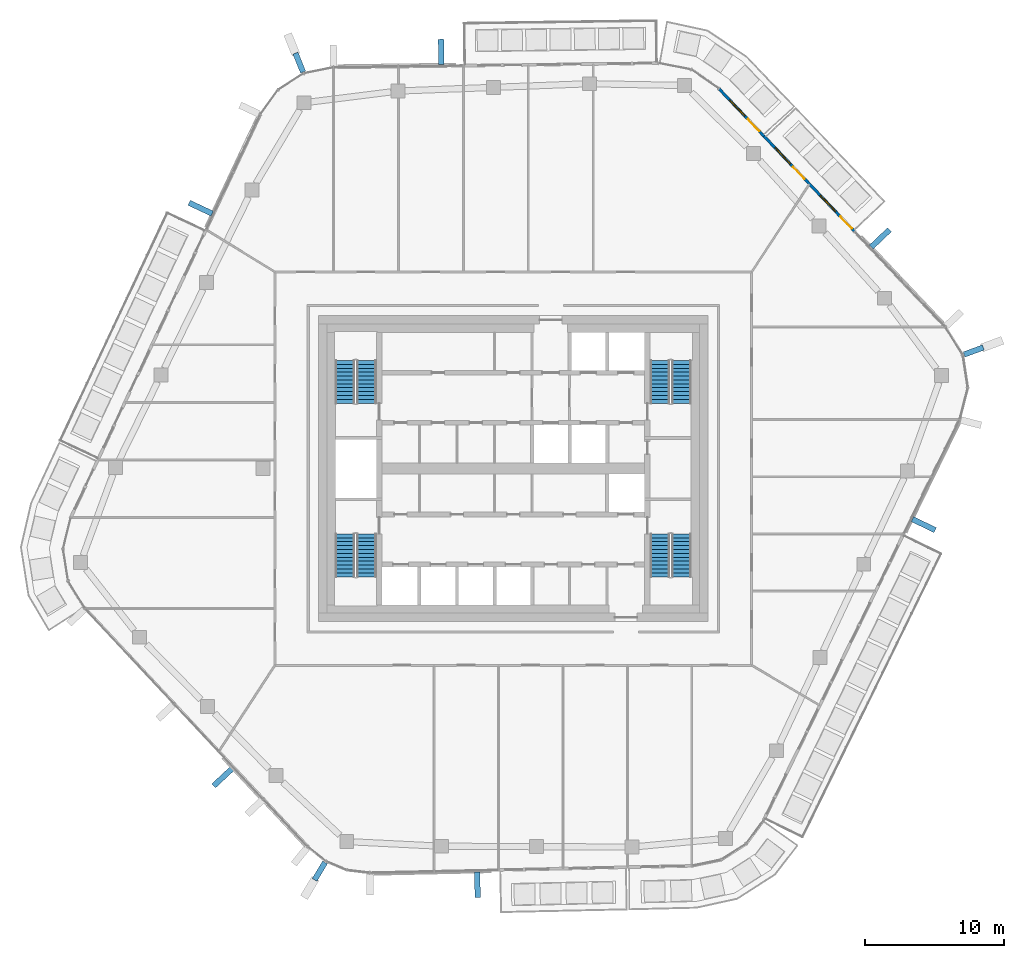
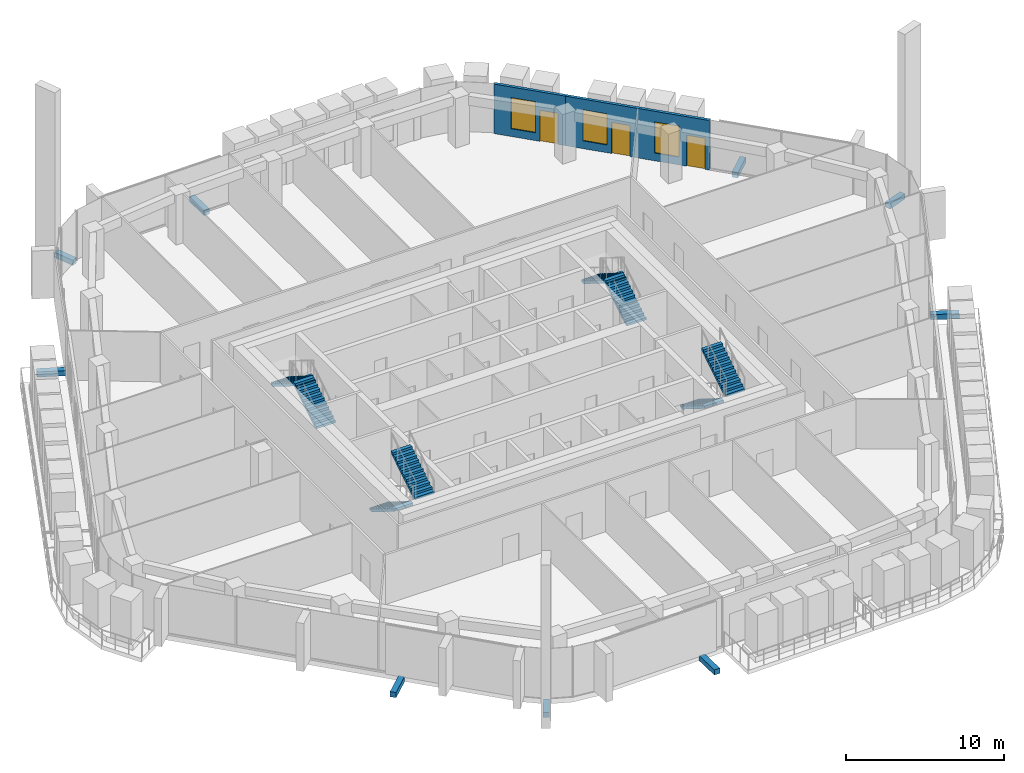
# One storey, part 17 of 24: 9 discrete accessories, 8 stair flights, 3 doors, 3 windows, 2 walls, 6 openings, 4 elements without a shape of their own.
"""IFC4 building model written with IfcOpenShell, lengths in metres."""

from ifc_helpers import new_model, si_unit, direction, frame, frame_2d, origin, origin_2d, place, context, subcontext, project, spatial, polyline, rectangle, outline, extrude, material, layer, layer_set, type_object, element, fill, aggregate, save


model = new_model("IFC4")

# Units and contexts
model_context = context("Model", 3, precision=1e-05, world=origin(), true_north=direction((0.0, 1.0)))
body_context = subcontext(model_context, "Body", "Model", "MODEL_VIEW")
ifc_project = project(units=[si_unit("LENGTHUNIT", "METRE"), si_unit("AREAUNIT", "SQUARE_METRE"), si_unit("VOLUMEUNIT", "CUBIC_METRE"), si_unit("PLANEANGLEUNIT", "RADIAN"), si_unit("MASSUNIT", "GRAM", prefix="KILO")], contexts=[model_context])

# Site, building, storey
site_placement = place(None, origin())
site = spatial("IfcSite", under=ifc_project, at=site_placement, CompositionType="ELEMENT")
building_placement = place(site_placement, origin())
building = spatial("IfcBuilding", under=site, at=building_placement, Name="Dongbaek Canopy Tower", CompositionType="ELEMENT")
storey_placement = place(building_placement, frame((0.0, 0.0, 332.0)))
storey = spatial("IfcBuildingStorey", under=building, at=storey_placement, Name="L71", CompositionType="ELEMENT", Elevation=332.0)

# Wall, openings, doors, windows
ifc_material_1 = material(Name="Aluminium window wall", Category="aluminium")
ifc_layer_1 = layer(ifc_material_1, 0.199951171875)
ifc_layer_set_1 = layer_set([ifc_layer_1], Name="Window wall 200")
wall_type = type_object("IfcWallType", Name="Window wall 200", PredefinedType="SOLIDWALL", material=ifc_layer_set_1)
wall_1_placement = place(storey_placement, frame((24.5634765625, 17.048583984375, 0.0), z_axis=(0.0, 0.0, 1.0), x_axis=(-0.688807081371, 0.724944690755, 0.0)))
wall_1 = element("IfcWall", 1, at=wall_1_placement, inside=storey, type_object=wall_type, Name="Window wall L71 1", PredefinedType="SOLIDWALL", context=body_context, shape_type="SweptSolid", body=[
    extrude(rectangle(XDim=9.46484375, YDim=0.199951171875, at=frame_2d((4.732421875, 0.0))), origin(), (0.0, 0.0, 1.0), 3.820068359375),
])
opening_1_placement = place(wall_1_placement, frame((2.0, 0.0, 0.60009765625)))
opening_1 = element("IfcOpeningElement", 2, at=opening_1_placement, cuts=wall_1, Name="Opening W1", PredefinedType="OPENING", context=body_context, shape_type="SweptSolid", body=[
    extrude(rectangle(XDim=1.60009765625, YDim=2.39990234375, at=frame_2d((0.800048828125, 1.199951171875))), frame((0.0, 0.10986328125, 0.0), z_axis=(0.0, -1.0, 0.0), x_axis=(1.0, 0.0, 0.0)), (0.0, 0.0, 1.0), 0.219970703125),
])
opening_2_placement = place(wall_1_placement, frame((0.300048828125, 0.0, 0.0)))
opening_2 = element("IfcOpeningElement", 3, at=opening_2_placement, cuts=wall_1, Name="Opening L71-B01", PredefinedType="OPENING", context=body_context, shape_type="SweptSolid", body=[
    extrude(rectangle(XDim=1.199951171875, YDim=2.39990234375, at=frame_2d((0.60009765625, 1.199951171875))), frame((0.0, 0.10986328125, 0.0), z_axis=(0.0, -1.0, 0.0), x_axis=(1.0, 0.0, 0.0)), (0.0, 0.0, 1.0), 0.219970703125),
])
opening_3_placement = place(wall_1_placement, frame((6.732666015625, 0.0, 0.60009765625)))
opening_3 = element("IfcOpeningElement", 4, at=opening_3_placement, cuts=wall_1, Name="Opening W1", PredefinedType="OPENING", context=body_context, shape_type="SweptSolid", body=[
    extrude(rectangle(XDim=1.60009765625, YDim=2.39990234375, at=frame_2d((0.800048828125, 1.199951171875))), frame((0.0, 0.10986328125, 0.0), z_axis=(0.0, -1.0, 0.0), x_axis=(1.0, 0.0, 0.0)), (0.0, 0.0, 1.0), 0.219970703125),
])
opening_4_placement = place(wall_1_placement, frame((5.232666015625, 0.0, 0.0)))
opening_4 = element("IfcOpeningElement", 5, at=opening_4_placement, cuts=wall_1, Name="Opening L71-B02", PredefinedType="OPENING", context=body_context, shape_type="SweptSolid", body=[
    extrude(rectangle(XDim=1.199951171875, YDim=2.39990234375, at=frame_2d((0.60009765625, 1.199951171875))), frame((0.0, 0.10986328125, 0.0), z_axis=(0.0, -1.0, 0.0), x_axis=(1.0, 0.0, 0.0)), (0.0, 0.0, 1.0), 0.219970703125),
])
ifc_material_2 = material(Name="Clear glazing in aluminium frame", Category="aluminium")
door_type = type_object("IfcDoorType", Name="Balcony door BD1 1200 x 2400", OperationType="SLIDING_TO_LEFT", PredefinedType="DOOR", material=ifc_material_2)
door_1_placement = place(opening_2_placement, origin())
door_1 = element("IfcDoor", 6, at=door_1_placement, inside=storey, type_object=door_type, Name="Balcony door L71-B01", OperationType="SLIDING_TO_LEFT", OverallHeight=2.39990234375, OverallWidth=1.199951171875, PredefinedType="DOOR", context=body_context, shape_type="SweptSolid", body=[
    extrude(rectangle(XDim=1.199951171875, YDim=2.39990234375, at=frame_2d((0.60009765625, 1.199951171875))), frame((0.0, 0.02490234375, 0.0), z_axis=(0.0, -1.0, 0.0), x_axis=(1.0, 0.0, 0.0)), (0.0, 0.0, 1.0), 0.050048828125),
])
fill(opening_2, door_1)
door_2_placement = place(opening_4_placement, origin())
door_2 = element("IfcDoor", 7, at=door_2_placement, inside=storey, type_object=door_type, Name="Balcony door L71-B02", OperationType="SLIDING_TO_LEFT", OverallHeight=2.39990234375, OverallWidth=1.199951171875, PredefinedType="DOOR", context=body_context, shape_type="SweptSolid", body=[
    extrude(rectangle(XDim=1.199951171875, YDim=2.39990234375, at=frame_2d((0.60009765625, 1.199951171875))), frame((0.0, 0.02490234375, 0.0), z_axis=(0.0, -1.0, 0.0), x_axis=(1.0, 0.0, 0.0)), (0.0, 0.0, 1.0), 0.050048828125),
])
fill(opening_4, door_2)
ifc_material_3 = material(Name="Clear glazing in aluminium frame", Category="aluminium")
window_type = type_object("IfcWindowType", Name="Window W1 1600 x 2400", PartitioningType="SINGLE_PANEL", PredefinedType="WINDOW", material=ifc_material_3)
window_1_placement = place(opening_1_placement, origin())
window_1 = element("IfcWindow", 8, at=window_1_placement, inside=storey, type_object=window_type, Name="Window L71 1.1", OverallHeight=2.39990234375, OverallWidth=1.60009765625, PartitioningType="SINGLE_PANEL", PredefinedType="WINDOW", context=body_context, shape_type="SweptSolid", body=[
    extrude(rectangle(XDim=1.60009765625, YDim=2.39990234375, at=frame_2d((0.800048828125, 1.199951171875))), frame((0.0, 0.030029296875, 0.0), z_axis=(0.0, -1.0, 0.0), x_axis=(1.0, 0.0, 0.0)), (0.0, 0.0, 1.0), 0.06005859375),
])
fill(opening_1, window_1)
window_2_placement = place(opening_3_placement, origin())
window_2 = element("IfcWindow", 9, at=window_2_placement, inside=storey, type_object=window_type, Name="Window L71 1.2", OverallHeight=2.39990234375, OverallWidth=1.60009765625, PartitioningType="SINGLE_PANEL", PredefinedType="WINDOW", context=body_context, shape_type="SweptSolid", body=[
    extrude(rectangle(XDim=1.60009765625, YDim=2.39990234375, at=frame_2d((0.800048828125, 1.199951171875))), frame((0.0, 0.030029296875, 0.0), z_axis=(0.0, -1.0, 0.0), x_axis=(1.0, 0.0, 0.0)), (0.0, 0.0, 1.0), 0.06005859375),
])
fill(opening_3, window_2)

# Wall, openings, door, window
wall_2_placement = place(storey_placement, frame((18.0439453125, 23.91015625, 0.0), z_axis=(0.0, 0.0, 1.0), x_axis=(-0.688806527413, 0.724945217098, 0.0)))
wall_2 = element("IfcWall", 10, at=wall_2_placement, inside=storey, type_object=wall_type, Name="Window wall L71 6", PredefinedType="SOLIDWALL", context=body_context, shape_type="SweptSolid", body=[
    extrude(rectangle(XDim=4.72216796875, YDim=0.199951171875, at=frame_2d((2.361083984375, 0.0))), origin(), (0.0, 0.0, 1.0), 3.820068359375),
])
opening_5_placement = place(wall_2_placement, frame((2.0, 0.0, 0.60009765625)))
opening_5 = element("IfcOpeningElement", 11, at=opening_5_placement, cuts=wall_2, Name="Opening W1", PredefinedType="OPENING", context=body_context, shape_type="SweptSolid", body=[
    extrude(rectangle(XDim=1.60009765625, YDim=2.39990234375, at=frame_2d((0.800048828125, 1.199951171875))), frame((0.0, 0.10986328125, 0.0), z_axis=(0.0, -1.0, 0.0), x_axis=(1.0, 0.0, 0.0)), (0.0, 0.0, 1.0), 0.219970703125),
])
opening_6_placement = place(wall_2_placement, frame((0.5, 0.0, 0.0)))
opening_6 = element("IfcOpeningElement", 12, at=opening_6_placement, cuts=wall_2, Name="Opening L71-B03", PredefinedType="OPENING", context=body_context, shape_type="SweptSolid", body=[
    extrude(rectangle(XDim=1.199951171875, YDim=2.39990234375, at=frame_2d((0.60009765625, 1.199951171875))), frame((0.0, 0.10986328125, 0.0), z_axis=(0.0, -1.0, 0.0), x_axis=(1.0, 0.0, 0.0)), (0.0, 0.0, 1.0), 0.219970703125),
])
door_3_placement = place(opening_6_placement, origin())
door_3 = element("IfcDoor", 13, at=door_3_placement, inside=storey, type_object=door_type, Name="Balcony door L71-B03", OperationType="SLIDING_TO_LEFT", OverallHeight=2.39990234375, OverallWidth=1.199951171875, PredefinedType="DOOR", context=body_context, shape_type="SweptSolid", body=[
    extrude(rectangle(XDim=1.199951171875, YDim=2.39990234375, at=frame_2d((0.60009765625, 1.199951171875))), frame((0.0, 0.02490234375, 0.0), z_axis=(0.0, -1.0, 0.0), x_axis=(1.0, 0.0, 0.0)), (0.0, 0.0, 1.0), 0.050048828125),
])
fill(opening_6, door_3)
window_3_placement = place(opening_5_placement, origin())
window_3 = element("IfcWindow", 14, at=window_3_placement, inside=storey, type_object=window_type, Name="Window L71 6.1", OverallHeight=2.39990234375, OverallWidth=1.60009765625, PartitioningType="SINGLE_PANEL", PredefinedType="WINDOW", context=body_context, shape_type="SweptSolid", body=[
    extrude(rectangle(XDim=1.60009765625, YDim=2.39990234375, at=frame_2d((0.800048828125, 1.199951171875))), frame((0.0, 0.030029296875, 0.0), z_axis=(0.0, -1.0, 0.0), x_axis=(1.0, 0.0, 0.0)), (0.0, 0.0, 1.0), 0.06005859375),
])
fill(opening_5, window_3)

# Stair, stair flights
ifc_material_4 = material(Name="Concrete C40/50", Category="concrete")
stair_type = type_object("IfcStairType", Name="Core exit stair", PredefinedType="HALF_TURN_STAIR", material=ifc_material_4)
stair_1_placement = place(storey_placement, origin())
stair_1 = element("IfcStair", 15, at=stair_1_placement, inside=storey, type_object=stair_type, Name="L71 exit stair A", PredefinedType="HALF_TURN_STAIR")
ifc_material_5 = material(Name="Concrete C40/50", Category="concrete")
ifc_layer_2 = layer(ifc_material_5, 0.14990234375)
ifc_layer_set_2 = layer_set([ifc_layer_2], Name="Core stair flight 150 waist")
stair_flight_type = type_object("IfcStairFlightType", Name="Core stair flight 150 waist", PredefinedType="STRAIGHT", material=ifc_layer_set_2)
stair_flight_1_placement = place(storey_placement, frame((12.10009765625, 4.699951171875, 0.0), z_axis=(0.0, 0.0, 1.0), x_axis=(0.0, 1.0, 0.0)))
stair_flight_1 = element("IfcStairFlight", 16, at=stair_flight_1_placement, type_object=stair_flight_type, Name="ST-A flight 1", NumberOfRisers=12, NumberOfTreads=11, PredefinedType="STRAIGHT", RiserHeight=0.175, TreadLength=0.28, context=body_context, shape_type="SweptSolid", body=[
    extrude(outline(polyline([(0.0, 0.0), (0.0, 0.175048828125), (0.280029296875, 0.175048828125), (0.280029296875, 0.35009765625), (0.56005859375, 0.35009765625), (0.56005859375, 0.52490234375), (0.840087890625, 0.52490234375), (0.840087890625, 0.699951171875), (1.1201171875, 0.699951171875), (1.1201171875, 0.875), (1.39990234375, 0.875), (1.39990234375, 1.050048828125), (1.679931640625, 1.050048828125), (1.679931640625, 1.22509765625), (1.9599609375, 1.22509765625), (1.9599609375, 1.39990234375), (2.239990234375, 1.39990234375), (2.239990234375, 1.574951171875), (2.52001953125, 1.574951171875), (2.52001953125, 1.75), (2.800048828125, 1.75), (2.800048828125, 1.925048828125), (3.080078125, 1.925048828125), (3.080078125, 2.10009765625), (3.080078125, 1.748291015625), (0.28271484375, 0.0), (0.0, 0.0)])), frame((0.0, 0.699951171875, 0.0), z_axis=(0.0, -1.0, 0.0), x_axis=(1.0, 0.0, 0.0)), (0.0, 0.0, 1.0), 1.39990234375),
])
stair_flight_2_placement = place(storey_placement, frame((10.550048828125, 7.780029296875, 2.10009765625), z_axis=(0.0, 0.0, 1.0), x_axis=(0.0, -1.0, 0.0)))
stair_flight_2 = element("IfcStairFlight", 17, at=stair_flight_2_placement, type_object=stair_flight_type, Name="ST-A flight 2", NumberOfRisers=12, NumberOfTreads=11, PredefinedType="STRAIGHT", RiserHeight=0.175, TreadLength=0.28, context=body_context, shape_type="SweptSolid", body=[
    extrude(outline(polyline([(0.0, 0.0), (0.0, 0.175048828125), (0.280029296875, 0.175048828125), (0.280029296875, 0.35009765625), (0.56005859375, 0.35009765625), (0.56005859375, 0.52490234375), (0.840087890625, 0.52490234375), (0.840087890625, 0.699951171875), (1.1201171875, 0.699951171875), (1.1201171875, 0.875), (1.39990234375, 0.875), (1.39990234375, 1.050048828125), (1.679931640625, 1.050048828125), (1.679931640625, 1.22509765625), (1.9599609375, 1.22509765625), (1.9599609375, 1.39990234375), (2.239990234375, 1.39990234375), (2.239990234375, 1.574951171875), (2.52001953125, 1.574951171875), (2.52001953125, 1.75), (2.800048828125, 1.75), (2.800048828125, 1.925048828125), (3.080078125, 1.925048828125), (3.080078125, 2.10009765625), (3.080078125, 1.748291015625), (0.28271484375, 0.0), (0.0, 0.0)])), frame((0.0, 0.699951171875, 0.0), z_axis=(0.0, -1.0, 0.0), x_axis=(1.0, 0.0, 0.0)), (0.0, 0.0, 1.0), 1.39990234375),
])
aggregate(stair_1, [stair_flight_1, stair_flight_2])

stair_2_placement = place(storey_placement, origin())
stair_2 = element("IfcStair", 18, at=stair_2_placement, inside=storey, type_object=stair_type, Name="L71 exit stair C", PredefinedType="HALF_TURN_STAIR")
stair_flight_3_placement = place(storey_placement, frame((-10.550048828125, 4.699951171875, 0.0), z_axis=(0.0, 0.0, 1.0), x_axis=(0.0, 1.0, 0.0)))
stair_flight_3 = element("IfcStairFlight", 19, at=stair_flight_3_placement, type_object=stair_flight_type, Name="ST-C flight 1", NumberOfRisers=12, NumberOfTreads=11, PredefinedType="STRAIGHT", RiserHeight=0.175, TreadLength=0.28, context=body_context, shape_type="SweptSolid", body=[
    extrude(outline(polyline([(0.0, 0.0), (0.0, 0.175048828125), (0.280029296875, 0.175048828125), (0.280029296875, 0.35009765625), (0.56005859375, 0.35009765625), (0.56005859375, 0.52490234375), (0.840087890625, 0.52490234375), (0.840087890625, 0.699951171875), (1.1201171875, 0.699951171875), (1.1201171875, 0.875), (1.39990234375, 0.875), (1.39990234375, 1.050048828125), (1.679931640625, 1.050048828125), (1.679931640625, 1.22509765625), (1.9599609375, 1.22509765625), (1.9599609375, 1.39990234375), (2.239990234375, 1.39990234375), (2.239990234375, 1.574951171875), (2.52001953125, 1.574951171875), (2.52001953125, 1.75), (2.800048828125, 1.75), (2.800048828125, 1.925048828125), (3.080078125, 1.925048828125), (3.080078125, 2.10009765625), (3.080078125, 1.748291015625), (0.28271484375, 0.0), (0.0, 0.0)])), frame((0.0, 0.699951171875, 0.0), z_axis=(0.0, -1.0, 0.0), x_axis=(1.0, 0.0, 0.0)), (0.0, 0.0, 1.0), 1.39990234375),
])
stair_flight_4_placement = place(storey_placement, frame((-12.10009765625, 7.780029296875, 2.10009765625), z_axis=(0.0, 0.0, 1.0), x_axis=(0.0, -1.0, 0.0)))
stair_flight_4 = element("IfcStairFlight", 20, at=stair_flight_4_placement, type_object=stair_flight_type, Name="ST-C flight 2", NumberOfRisers=12, NumberOfTreads=11, PredefinedType="STRAIGHT", RiserHeight=0.175, TreadLength=0.28, context=body_context, shape_type="SweptSolid", body=[
    extrude(outline(polyline([(0.0, 0.0), (0.0, 0.175048828125), (0.280029296875, 0.175048828125), (0.280029296875, 0.35009765625), (0.56005859375, 0.35009765625), (0.56005859375, 0.52490234375), (0.840087890625, 0.52490234375), (0.840087890625, 0.699951171875), (1.1201171875, 0.699951171875), (1.1201171875, 0.875), (1.39990234375, 0.875), (1.39990234375, 1.050048828125), (1.679931640625, 1.050048828125), (1.679931640625, 1.22509765625), (1.9599609375, 1.22509765625), (1.9599609375, 1.39990234375), (2.239990234375, 1.39990234375), (2.239990234375, 1.574951171875), (2.52001953125, 1.574951171875), (2.52001953125, 1.75), (2.800048828125, 1.75), (2.800048828125, 1.925048828125), (3.080078125, 1.925048828125), (3.080078125, 2.10009765625), (3.080078125, 1.748291015625), (0.28271484375, 0.0), (0.0, 0.0)])), frame((0.0, 0.699951171875, 0.0), z_axis=(0.0, -1.0, 0.0), x_axis=(1.0, 0.0, 0.0)), (0.0, 0.0, 1.0), 1.39990234375),
])
aggregate(stair_2, [stair_flight_3, stair_flight_4])

stair_3_placement = place(storey_placement, origin())
stair_3 = element("IfcStair", 21, at=stair_3_placement, inside=storey, type_object=stair_type, Name="L71 exit stair B", PredefinedType="HALF_TURN_STAIR")
stair_flight_5_placement = place(storey_placement, frame((10.550048828125, -4.699951171875, 0.0), z_axis=(0.0, 0.0, 1.0), x_axis=(0.0, -1.0, 0.0)))
stair_flight_5 = element("IfcStairFlight", 22, at=stair_flight_5_placement, type_object=stair_flight_type, Name="ST-B flight 1", NumberOfRisers=12, NumberOfTreads=11, PredefinedType="STRAIGHT", RiserHeight=0.175, TreadLength=0.28, context=body_context, shape_type="SweptSolid", body=[
    extrude(outline(polyline([(0.0, 0.0), (0.0, 0.175048828125), (0.280029296875, 0.175048828125), (0.280029296875, 0.35009765625), (0.56005859375, 0.35009765625), (0.56005859375, 0.52490234375), (0.840087890625, 0.52490234375), (0.840087890625, 0.699951171875), (1.1201171875, 0.699951171875), (1.1201171875, 0.875), (1.39990234375, 0.875), (1.39990234375, 1.050048828125), (1.679931640625, 1.050048828125), (1.679931640625, 1.22509765625), (1.9599609375, 1.22509765625), (1.9599609375, 1.39990234375), (2.239990234375, 1.39990234375), (2.239990234375, 1.574951171875), (2.52001953125, 1.574951171875), (2.52001953125, 1.75), (2.800048828125, 1.75), (2.800048828125, 1.925048828125), (3.080078125, 1.925048828125), (3.080078125, 2.10009765625), (3.080078125, 1.748291015625), (0.28271484375, 0.0), (0.0, 0.0)])), frame((0.0, 0.699951171875, 0.0), z_axis=(0.0, -1.0, 0.0), x_axis=(1.0, 0.0, 0.0)), (0.0, 0.0, 1.0), 1.39990234375),
])
stair_flight_6_placement = place(storey_placement, frame((12.10009765625, -7.780029296875, 2.10009765625), z_axis=(0.0, 0.0, 1.0), x_axis=(0.0, 1.0, 0.0)))
stair_flight_6 = element("IfcStairFlight", 23, at=stair_flight_6_placement, type_object=stair_flight_type, Name="ST-B flight 2", NumberOfRisers=12, NumberOfTreads=11, PredefinedType="STRAIGHT", RiserHeight=0.175, TreadLength=0.28, context=body_context, shape_type="SweptSolid", body=[
    extrude(outline(polyline([(0.0, 0.0), (0.0, 0.175048828125), (0.280029296875, 0.175048828125), (0.280029296875, 0.35009765625), (0.56005859375, 0.35009765625), (0.56005859375, 0.52490234375), (0.840087890625, 0.52490234375), (0.840087890625, 0.699951171875), (1.1201171875, 0.699951171875), (1.1201171875, 0.875), (1.39990234375, 0.875), (1.39990234375, 1.050048828125), (1.679931640625, 1.050048828125), (1.679931640625, 1.22509765625), (1.9599609375, 1.22509765625), (1.9599609375, 1.39990234375), (2.239990234375, 1.39990234375), (2.239990234375, 1.574951171875), (2.52001953125, 1.574951171875), (2.52001953125, 1.75), (2.800048828125, 1.75), (2.800048828125, 1.925048828125), (3.080078125, 1.925048828125), (3.080078125, 2.10009765625), (3.080078125, 1.748291015625), (0.28271484375, 0.0), (0.0, 0.0)])), frame((0.0, 0.699951171875, 0.0), z_axis=(0.0, -1.0, 0.0), x_axis=(1.0, 0.0, 0.0)), (0.0, 0.0, 1.0), 1.39990234375),
])
aggregate(stair_3, [stair_flight_5, stair_flight_6])

stair_4_placement = place(storey_placement, origin())
stair_4 = element("IfcStair", 24, at=stair_4_placement, inside=storey, type_object=stair_type, Name="L71 exit stair D", PredefinedType="HALF_TURN_STAIR")
stair_flight_7_placement = place(storey_placement, frame((-12.10009765625, -4.699951171875, 0.0), z_axis=(0.0, 0.0, 1.0), x_axis=(0.0, -1.0, 0.0)))
stair_flight_7 = element("IfcStairFlight", 25, at=stair_flight_7_placement, type_object=stair_flight_type, Name="ST-D flight 1", NumberOfRisers=12, NumberOfTreads=11, PredefinedType="STRAIGHT", RiserHeight=0.175, TreadLength=0.28, context=body_context, shape_type="SweptSolid", body=[
    extrude(outline(polyline([(0.0, 0.0), (0.0, 0.175048828125), (0.280029296875, 0.175048828125), (0.280029296875, 0.35009765625), (0.56005859375, 0.35009765625), (0.56005859375, 0.52490234375), (0.840087890625, 0.52490234375), (0.840087890625, 0.699951171875), (1.1201171875, 0.699951171875), (1.1201171875, 0.875), (1.39990234375, 0.875), (1.39990234375, 1.050048828125), (1.679931640625, 1.050048828125), (1.679931640625, 1.22509765625), (1.9599609375, 1.22509765625), (1.9599609375, 1.39990234375), (2.239990234375, 1.39990234375), (2.239990234375, 1.574951171875), (2.52001953125, 1.574951171875), (2.52001953125, 1.75), (2.800048828125, 1.75), (2.800048828125, 1.925048828125), (3.080078125, 1.925048828125), (3.080078125, 2.10009765625), (3.080078125, 1.748291015625), (0.28271484375, 0.0), (0.0, 0.0)])), frame((0.0, 0.699951171875, 0.0), z_axis=(0.0, -1.0, 0.0), x_axis=(1.0, 0.0, 0.0)), (0.0, 0.0, 1.0), 1.39990234375),
])
stair_flight_8_placement = place(storey_placement, frame((-10.550048828125, -7.780029296875, 2.10009765625), z_axis=(0.0, 0.0, 1.0), x_axis=(0.0, 1.0, 0.0)))
stair_flight_8 = element("IfcStairFlight", 26, at=stair_flight_8_placement, type_object=stair_flight_type, Name="ST-D flight 2", NumberOfRisers=12, NumberOfTreads=11, PredefinedType="STRAIGHT", RiserHeight=0.175, TreadLength=0.28, context=body_context, shape_type="SweptSolid", body=[
    extrude(outline(polyline([(0.0, 0.0), (0.0, 0.175048828125), (0.280029296875, 0.175048828125), (0.280029296875, 0.35009765625), (0.56005859375, 0.35009765625), (0.56005859375, 0.52490234375), (0.840087890625, 0.52490234375), (0.840087890625, 0.699951171875), (1.1201171875, 0.699951171875), (1.1201171875, 0.875), (1.39990234375, 0.875), (1.39990234375, 1.050048828125), (1.679931640625, 1.050048828125), (1.679931640625, 1.22509765625), (1.9599609375, 1.22509765625), (1.9599609375, 1.39990234375), (2.239990234375, 1.39990234375), (2.239990234375, 1.574951171875), (2.52001953125, 1.574951171875), (2.52001953125, 1.75), (2.800048828125, 1.75), (2.800048828125, 1.925048828125), (3.080078125, 1.925048828125), (3.080078125, 2.10009765625), (3.080078125, 1.748291015625), (0.28271484375, 0.0), (0.0, 0.0)])), frame((0.0, 0.699951171875, 0.0), z_axis=(0.0, -1.0, 0.0), x_axis=(1.0, 0.0, 0.0)), (0.0, 0.0, 1.0), 1.39990234375),
])
aggregate(stair_4, [stair_flight_7, stair_flight_8])

# Discrete accessories
ifc_material_6 = material(Name="Galvanised steel S355 bracket", Category="steel")
discrete_accessory_type = type_object("IfcDiscreteAccessoryType", Name="Crease fin bracket BR3 400", PredefinedType="BRACKET", material=ifc_material_6)
discrete_accessory_1_placement = place(storey_placement, frame((29.52978515625, -4.0283203125, -0.389892578125), z_axis=(0.0, 0.0, 1.0), x_axis=(0.898322224114, -0.439337207238, 0.0)))
element("IfcDiscreteAccessory", 27, at=discrete_accessory_1_placement, inside=storey, type_object=discrete_accessory_type, Name="Crease fin bracket L71 F5", PredefinedType="BRACKET", context=body_context, shape_type="SweptSolid", body=[
    extrude(rectangle(XDim=1.813232421875, YDim=0.39990234375, at=origin_2d()), origin(), (0.0, 0.0, 1.0), 0.39990234375),
])
discrete_accessory_2_placement = place(storey_placement, frame((26.409912109375, 16.564208984375, -0.389892578125), z_axis=(0.0, 0.0, 1.0), x_axis=(0.724939317516, 0.688812736467, 0.0)))
element("IfcDiscreteAccessory", 28, at=discrete_accessory_2_placement, inside=storey, type_object=discrete_accessory_type, Name="Crease fin bracket L71 F0", PredefinedType="BRACKET", context=body_context, shape_type="SweptSolid", body=[
    extrude(rectangle(XDim=1.809326171875, YDim=0.39990234375, at=origin_2d()), origin(), (0.0, 0.0, 1.0), 0.39990234375),
])
discrete_accessory_3_placement = place(storey_placement, frame((-5.192626953125, 29.9814453125, -0.389892578125), z_axis=(0.0, 0.0, 1.0), x_axis=(-0.013164638263, 0.999913342395, 0.0)))
element("IfcDiscreteAccessory", 29, at=discrete_accessory_3_placement, inside=storey, type_object=discrete_accessory_type, Name="Crease fin bracket L71 F1", PredefinedType="BRACKET", context=body_context, shape_type="SweptSolid", body=[
    extrude(rectangle(XDim=1.82080078125, YDim=0.39990234375, at=origin_2d()), origin(), (0.0, 0.0, 1.0), 0.39990234375),
])
discrete_accessory_4_placement = place(storey_placement, frame((-22.49658203125, 18.736572265625, -0.389892578125), z_axis=(0.0, 0.0, 1.0), x_axis=(-0.904958542423, 0.425499749114, 0.0)))
element("IfcDiscreteAccessory", 30, at=discrete_accessory_4_placement, inside=storey, type_object=discrete_accessory_type, Name="Crease fin bracket L71 F2", PredefinedType="BRACKET", context=body_context, shape_type="SweptSolid", body=[
    extrude(rectangle(XDim=1.831787109375, YDim=0.39990234375, at=origin_2d()), origin(), (0.0, 0.0, 1.0), 0.39990234375),
])
discrete_accessory_5_placement = place(storey_placement, frame((-20.87548828125, -22.185791015625, -0.389892578125), z_axis=(0.0, 0.0, 1.0), x_axis=(-0.730438885503, -0.682978063004, 0.0)))
element("IfcDiscreteAccessory", 31, at=discrete_accessory_5_placement, inside=storey, type_object=discrete_accessory_type, Name="Crease fin bracket L71 F3", PredefinedType="BRACKET", context=body_context, shape_type="SweptSolid", body=[
    extrude(rectangle(XDim=1.8583984375, YDim=0.39990234375, at=origin_2d()), origin(), (0.0, 0.0, 1.0), 0.39990234375),
])
discrete_accessory_6_placement = place(storey_placement, frame((-2.581298828125, -29.930908203125, -0.389892578125), z_axis=(0.0, 0.0, 1.0), x_axis=(0.021675291709, -0.999765063267, 0.0)))
element("IfcDiscreteAccessory", 32, at=discrete_accessory_6_placement, inside=storey, type_object=discrete_accessory_type, Name="Crease fin bracket L71 F4", PredefinedType="BRACKET", context=body_context, shape_type="SweptSolid", body=[
    extrude(rectangle(XDim=1.849853515625, YDim=0.39990234375, at=origin_2d()), origin(), (0.0, 0.0, 1.0), 0.39990234375),
])
for number, where, z_axis, x_axis, name in (
    (33, (33.121337890625, 8.463623046875, -0.389892578125), (0.0, 0.0, 1.0), (0.937665304372, 0.347539604905, 0.0), "Corner fin bracket L71 K0"),
    (34, (-15.39892578125, 29.209228515625, -0.389892578125), (0.0, 0.0, 1.0), (-0.376366563283, 0.926470836045, 0.0), "Corner fin bracket L71 K2"),
    (35, (-13.919189453125, -28.956298828125, -0.389892578125), (0.0, 0.0, 1.0), (-0.513063436245, -0.85835069196, 0.0), "Corner fin bracket L71 K4"),
):
    element("IfcDiscreteAccessory", number, at=place(storey_placement, frame(where, z_axis=z_axis, x_axis=x_axis)), inside=storey, type_object=discrete_accessory_type, Name=name, PredefinedType="BRACKET", context=body_context, shape_type="SweptSolid", body=[
        extrude(rectangle(XDim=1.469970703125, YDim=0.39990234375, at=origin_2d()), origin(), (0.0, 0.0, 1.0), 0.39990234375),
    ])

save(model, "model.ifc")
